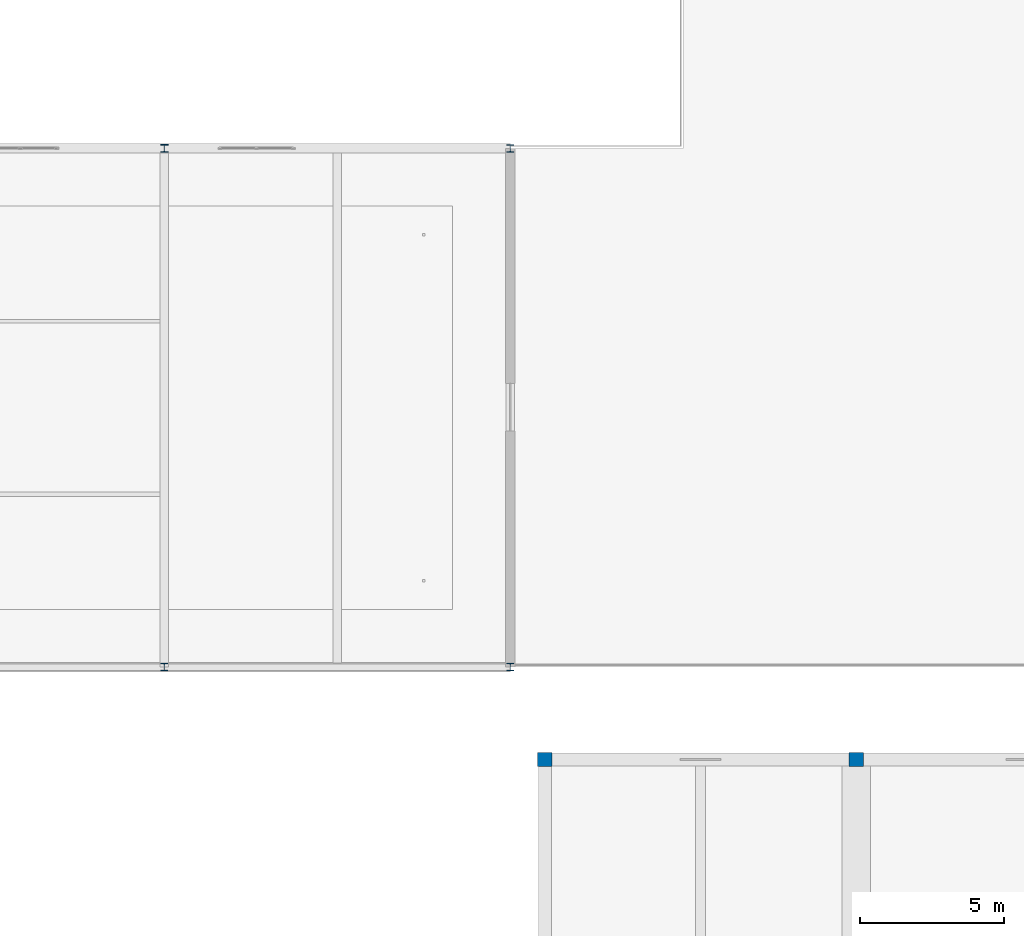
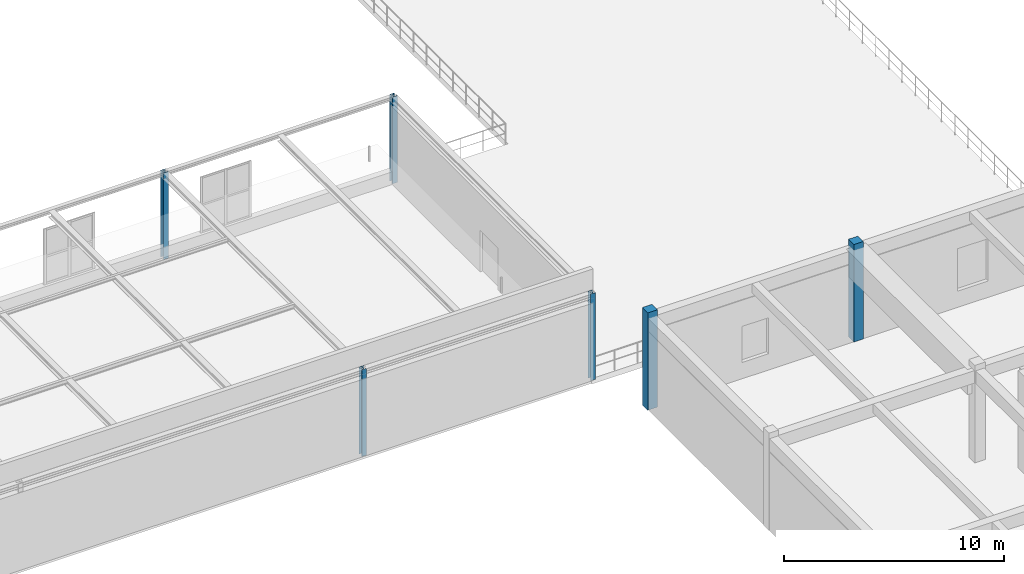
# One storey, part 7 of 97: 6 columns.
"""IFC4 building model written with IfcOpenShell, lengths in metres."""

import ifcopenshell
import ifcopenshell.guid

model = None  # the IFC model being written
_history = None  # IfcOwnerHistory: only IFC2X3 demands one
_inside = {}  # id of a spatial element -> (the spatial element, [elements in it])
_under = {}  # id of a project, library or spatial element -> (it, [spatial elements below it])
_declared = {}  # id of a project -> (the project, [libraries it declares])
_typed = {}  # id of a type object -> (the type object, [elements of that type])
_made_of = {}  # id of a material, layer set ... -> (it, [elements and type objects made of it])


def new_model(schema):
    """Start an empty IFC model of exactly this schema.

    Asked for "IFC4X3", IfcOpenShell would pick the latest addendum, in which some entities
    have other attributes; the version numbers below select the first issue.
    IFC2X3 requires an IfcOwnerHistory on every rooted entity: one is made here for all.
    """
    global model, _history
    if schema == "IFC4X3":
        model = ifcopenshell.file(schema_version=(4, 3, 0, 0))
    else:
        model = ifcopenshell.file(schema=schema)
    _inside.clear()
    _under.clear()
    _declared.clear()
    _typed.clear()
    _made_of.clear()
    _history = None
    if model.schema == "IFC2X3":
        org = make("IfcOrganization", Name="unknown")
        user = make(
            "IfcPersonAndOrganization",
            ThePerson=make("IfcPerson", FamilyName="unknown"),
            TheOrganization=org,
        )
        app = make(
            "IfcApplication",
            ApplicationDeveloper=org,
            Version="unknown",
            ApplicationFullName="unknown",
            ApplicationIdentifier="unknown",
        )
        _history = make(
            "IfcOwnerHistory",
            OwningUser=user,
            OwningApplication=app,
            ChangeAction="ADDED",
            CreationDate=0,
        )
    return model


def make(cls, **values):
    """One entity of the class cls with the attributes given. An attribute that is None is left unset."""
    return model.create_entity(
        cls, **{name: value for name, value in values.items() if value is not None}
    )


def rooted(cls, **values):
    """An entity with a GlobalId (a new one), such as an element, a storey or a relation."""
    return make(cls, GlobalId=ifcopenshell.guid.new(), OwnerHistory=_history, **values)


def si_unit(unit_type, name, prefix=None):
    """IfcSIUnit, for example si_unit("LENGTHUNIT", "METRE", prefix="MILLI")."""
    return make("IfcSIUnit", UnitType=unit_type, Prefix=prefix, Name=name)


def derived_unit(unit_type, elements):
    """IfcDerivedUnit: a product of units, each with its exponent."""
    return make(
        "IfcDerivedUnit",
        Elements=[
            make("IfcDerivedUnitElement", Unit=unit, Exponent=power)
            for unit, power in elements
        ],
        UnitType=unit_type,
    )


def assignment(units):
    """IfcUnitAssignment: the units of a project."""
    return None if units is None else make("IfcUnitAssignment", Units=units)


def point(xyz):
    """IfcCartesianPoint."""
    return None if xyz is None else make("IfcCartesianPoint", Coordinates=xyz)


def direction(xyz):
    """IfcDirection."""
    return None if xyz is None else make("IfcDirection", DirectionRatios=xyz)


def frame(location, z_axis=None, x_axis=None):
    """IfcAxis2Placement3D, a coordinate frame: its origin and axes. An axis left out is left unset."""
    return make(
        "IfcAxis2Placement3D",
        Location=point(location),
        Axis=direction(z_axis),
        RefDirection=direction(x_axis),
    )


def frame_2d(location, x_axis=None):
    """IfcAxis2Placement2D, a coordinate frame in the plane: its origin and x axis."""
    return make(
        "IfcAxis2Placement2D", Location=point(location), RefDirection=direction(x_axis)
    )


def origin():
    """The frame at (0, 0, 0) with its axes left unset."""
    return frame((0.0, 0.0, 0.0))


def origin_2d():
    """The frame at (0, 0) in the plane with its x axis left unset."""
    return frame_2d((0.0, 0.0))


def place(relative_to, where):
    """IfcLocalPlacement: puts the frame where relative to a parent placement (None: the world)."""
    return make(
        "IfcLocalPlacement", PlacementRelTo=relative_to, RelativePlacement=where
    )


def context(
    kind, dimensions, precision=None, world=None, true_north=None, identifier=None
):
    """IfcGeometricRepresentationContext, for example the 3D "Model" context."""
    return make(
        "IfcGeometricRepresentationContext",
        ContextIdentifier=identifier,
        ContextType=kind,
        CoordinateSpaceDimension=dimensions,
        Precision=precision,
        WorldCoordinateSystem=world,
        TrueNorth=true_north,
    )


def subcontext(parent, identifier, kind, view, scale=None):
    """IfcGeometricRepresentationSubContext, for example "Body" below "Model"."""
    return make(
        "IfcGeometricRepresentationSubContext",
        ContextIdentifier=identifier,
        ContextType=kind,
        ParentContext=parent,
        TargetScale=scale,
        TargetView=view,
    )


def project(units=None, contexts=None):
    """IfcProject with its units and contexts."""
    return rooted(
        "IfcProject",
        Name="project",
        RepresentationContexts=contexts,
        UnitsInContext=assignment(units),
    )


def spatial(cls, under=None, at=None, **own):
    """A site, building, storey or space (cls), placed at a placement, below another one or the project."""
    s = rooted(cls, ObjectPlacement=at, **own)
    if under is not None:
        _under.setdefault(under.id(), (under, []))[1].append(s)
    return s


def profile(cls, at=None, kind="AREA", **sizes):
    """A parametric profile (cls). Its sizes go by their IFC names, for example OverallWidth=200.0."""
    return make(cls, ProfileType=kind, Position=at, **sizes)


def rectangle(**sizes):
    """IfcRectangleProfileDef."""
    return profile("IfcRectangleProfileDef", **sizes)


def i_section(**sizes):
    """IfcIShapeProfileDef."""
    return profile("IfcIShapeProfileDef", **sizes)


def extrude(swept, where, along, depth):
    """IfcExtrudedAreaSolid: the profile swept, set in the frame where, extruded along a direction by depth."""
    return make(
        "IfcExtrudedAreaSolid",
        SweptArea=swept,
        Position=where,
        ExtrudedDirection=direction(along),
        Depth=depth,
    )


def shape(context_of_items, identifier, shape_type, items):
    """IfcShapeRepresentation: the items that make up one representation, for example the "Body"."""
    return make(
        "IfcShapeRepresentation",
        ContextOfItems=context_of_items,
        RepresentationIdentifier=identifier,
        RepresentationType=shape_type,
        Items=items,
    )


def material(Name=None, Category=None):
    """IfcMaterial."""
    return make("IfcMaterial", Name=Name, Category=Category)


def material_profile(
    of_material, cross_section, Name=None, Category=None, Priority=None
):
    """IfcMaterialProfile: a cross section and its material."""
    return make(
        "IfcMaterialProfile",
        Name=Name,
        Material=of_material,
        Profile=cross_section,
        Priority=Priority,
        Category=Category,
    )


def profile_set(profiles, Name=None, composite=None):
    """IfcMaterialProfileSet."""
    return make(
        "IfcMaterialProfileSet",
        Name=Name,
        MaterialProfiles=profiles,
        CompositeProfile=composite,
    )


def made_of(thing, what):
    """Note that an element or type object is made of a material, layer set ...; save() writes the relation."""
    if what is not None:
        _made_of.setdefault(what.id(), (what, []))[1].append(thing)
    return thing


def type_object(cls, material=None, **own):
    """A type object (cls), such as IfcWallType, which elements share."""
    return made_of(rooted(cls, **own), material)


def element(
    cls,
    number,
    at=None,
    inside=None,
    cuts=None,
    type_object=None,
    material=None,
    context=None,
    identifier="Body",
    shape_type=None,
    held_by="IfcProductDefinitionShape",
    body=None,
    shapes=None,
    **own,
):
    """One element of the class cls, such as IfcWall. Its Tag is "e" and its number.

    at: its placement. inside: the storey or other place that contains it. cuts: it is an
    opening in that element (IfcRelVoidsElement). A single representation is given by context,
    identifier, shape_type and body (its items); several are given by shapes. held_by: the class
    of the entity that holds the representations. save() writes the other relations.
    """
    e = rooted(cls, Tag="e%d" % number, ObjectPlacement=at, **own)
    if body is not None:
        shapes = [shape(context, identifier, shape_type, body)]
    if shapes is not None:
        e.Representation = make(held_by, Representations=shapes)
    if inside is not None:
        _inside.setdefault(inside.id(), (inside, []))[1].append(e)
    if cuts is not None:
        rooted(
            "IfcRelVoidsElement", RelatingBuildingElement=cuts, RelatedOpeningElement=e
        )
    if type_object is not None:
        _typed.setdefault(type_object.id(), (type_object, []))[1].append(e)
    return made_of(e, material)


def aggregate(whole, parts):
    """IfcRelAggregates: a whole, such as a stair, and the parts it consists of."""
    return rooted("IfcRelAggregates", RelatingObject=whole, RelatedObjects=parts)


def save(model, path):
    """Write the relations noted so far, then the file.

    IfcRelAggregates (storeys below a building ...), IfcRelContainedInSpatialStructure (elements
    in a storey), IfcRelDefinesByType, IfcRelAssociatesMaterial and IfcRelDeclares: one each for
    every whole, place, type object, material and project.
    """
    for whole, parts in _under.values():
        aggregate(whole, parts)
    for where, things in _inside.values():
        rooted(
            "IfcRelContainedInSpatialStructure",
            RelatedElements=things,
            RelatingStructure=where,
        )
    for kind, things in _typed.values():
        rooted("IfcRelDefinesByType", RelatedObjects=things, RelatingType=kind)
    for what, things in _made_of.values():
        rooted("IfcRelAssociatesMaterial", RelatedObjects=things, RelatingMaterial=what)
    for by, libraries in _declared.values():
        rooted("IfcRelDeclares", RelatingContext=by, RelatedDefinitions=libraries)
    model.write(path)


model = new_model("IFC4")

# Units and contexts
model_context = context("Model", 3, precision=1e-05, world=origin(), true_north=direction((0.0, 1.0)))
body_context = subcontext(model_context, "Body", "Model", "MODEL_VIEW")
ifc_project = project(units=[si_unit("LENGTHUNIT", "METRE"), si_unit("AREAUNIT", "SQUARE_METRE"), si_unit("VOLUMEUNIT", "CUBIC_METRE"), si_unit("PLANEANGLEUNIT", "RADIAN"), si_unit("MASSUNIT", "GRAM", prefix="KILO"), derived_unit("THERMALTRANSMITTANCEUNIT", [(si_unit("POWERUNIT", "WATT"), 1), (si_unit("LENGTHUNIT", "METRE"), -2), (si_unit("THERMODYNAMICTEMPERATUREUNIT", "KELVIN"), -1)])], contexts=[model_context])

# Site, building, storey
site_placement = place(None, origin())
site = spatial("IfcSite", under=ifc_project, at=site_placement, CompositionType="ELEMENT")
building_placement = place(site_placement, origin())
building = spatial("IfcBuilding", under=site, at=building_placement, Name="Almenara Railside Exhibition Hall", CompositionType="ELEMENT")
storey_placement = place(building_placement, frame((0.0, 0.0, 10.800048828125)))
storey = spatial("IfcBuildingStorey", under=building, at=storey_placement, Name="L02", CompositionType="ELEMENT", Elevation=10.800048828125)

# Columns
ifc_material_1 = material(Name="Concrete C35/45", Category="concrete")
ifc_material_profile_1 = material_profile(ifc_material_1, rectangle(XDim=0.5, YDim=0.5, at=origin_2d()), Name="RC 500x500")
ifc_profile_set_1 = profile_set([ifc_material_profile_1], Name="Concrete C35/45")
column_type_1 = type_object("IfcColumnType", Name="RC Column 500x500 C35/45", PredefinedType="COLUMN", material=ifc_profile_set_1)
for number, where, z_axis, x_axis, name in (
    (1, (115.199951171875, 32.800048828125, 0.0), (0.0, 0.0, 1.0), (1.0, 0.0, 0.0), "Column 0300"),
    (2, (126.0, 32.800048828125, 0.0), (0.0, 0.0, 1.0), (1.0, 0.0, 0.0), "Column 0319"),
):
    element("IfcColumn", number, at=place(storey_placement, frame(where, z_axis=z_axis, x_axis=x_axis)), inside=storey, type_object=column_type_1, Name=name, PredefinedType="COLUMN", context=body_context, shape_type="SweptSolid", body=[
        extrude(rectangle(XDim=0.5, YDim=0.5, at=origin_2d()), origin(), (0.0, 0.0, 1.0), 5.39990234375),
    ])
ifc_material_2 = material(Name="Structural steel S355JR", Category="steel")
ifc_material_profile_2 = material_profile(ifc_material_2, i_section(OverallWidth=0.2587890625, OverallDepth=0.2666015625, WebThickness=0.0126953125, FlangeThickness=0.0205078125, FilletRadius=0.0126953125, at=origin_2d()), Name="UC 254x254x107")
ifc_profile_set_2 = profile_set([ifc_material_profile_2], Name="Structural steel S355JR")
column_type_2 = type_object("IfcColumnType", Name="Steel Column UC 254x254x107 S355JR", PredefinedType="COLUMN", material=ifc_profile_set_2)
column_placement = place(storey_placement, frame((102.0, 54.0, 0.0), z_axis=(0.0, 0.0, 1.0), x_axis=(1.0, 0.0, 0.0)))
element("IfcColumn", 3, at=column_placement, inside=storey, type_object=column_type_2, Name="Column 0222", PredefinedType="COLUMN", context=body_context, shape_type="SweptSolid", body=[
    extrude(i_section(OverallWidth=0.2587890625, OverallDepth=0.2666015625, WebThickness=0.0126953125, FlangeThickness=0.0205078125, FilletRadius=0.0126953125, at=origin_2d()), origin(), (0.0, 0.0, 1.0), 4.800048828125),
])
ifc_material_profile_3 = material_profile(ifc_material_2, i_section(OverallWidth=0.25634765625, OverallDepth=0.26025390625, WebThickness=0.01025390625, FlangeThickness=0.017333984375, FilletRadius=0.0126953125, at=origin_2d()), Name="UC 254x254x89")
ifc_profile_set_3 = profile_set([ifc_material_profile_3], Name="Structural steel S355JR")
column_type_3 = type_object("IfcColumnType", Name="Steel Column UC 254x254x89 S355JR", PredefinedType="COLUMN", material=ifc_profile_set_3)
for number, where, z_axis, x_axis, name in (
    (4, (102.0, 36.0, 0.0), (0.0, 0.0, 1.0), (1.0, 0.0, 0.0), "Column 0219"),
    (5, (114.0, 36.0, 0.0), (0.0, 0.0, 1.0), (1.0, 0.0, 0.0), "Column 0497"),
    (6, (114.0, 54.0, 0.0), (0.0, 0.0, 1.0), (1.0, 0.0, 0.0), "Column 0500"),
):
    element("IfcColumn", number, at=place(storey_placement, frame(where, z_axis=z_axis, x_axis=x_axis)), inside=storey, type_object=column_type_3, Name=name, PredefinedType="COLUMN", context=body_context, shape_type="SweptSolid", body=[
        extrude(i_section(OverallWidth=0.25634765625, OverallDepth=0.26025390625, WebThickness=0.01025390625, FlangeThickness=0.017333984375, FilletRadius=0.0126953125, at=origin_2d()), origin(), (0.0, 0.0, 1.0), 4.800048828125),
    ])

save(model, "model.ifc")
